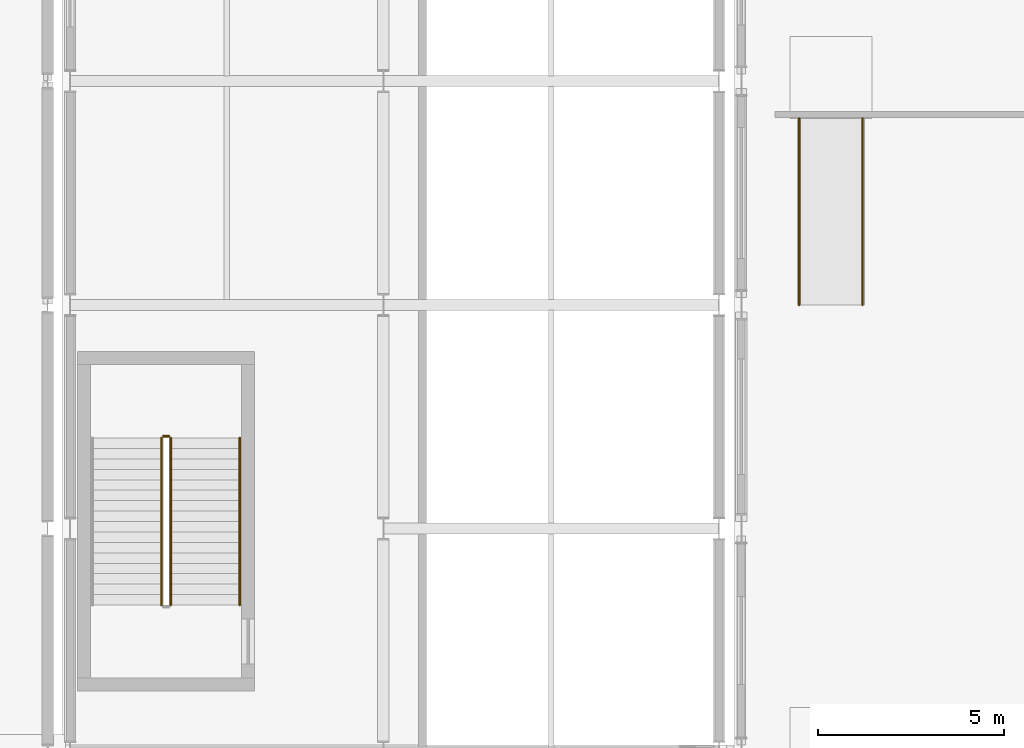
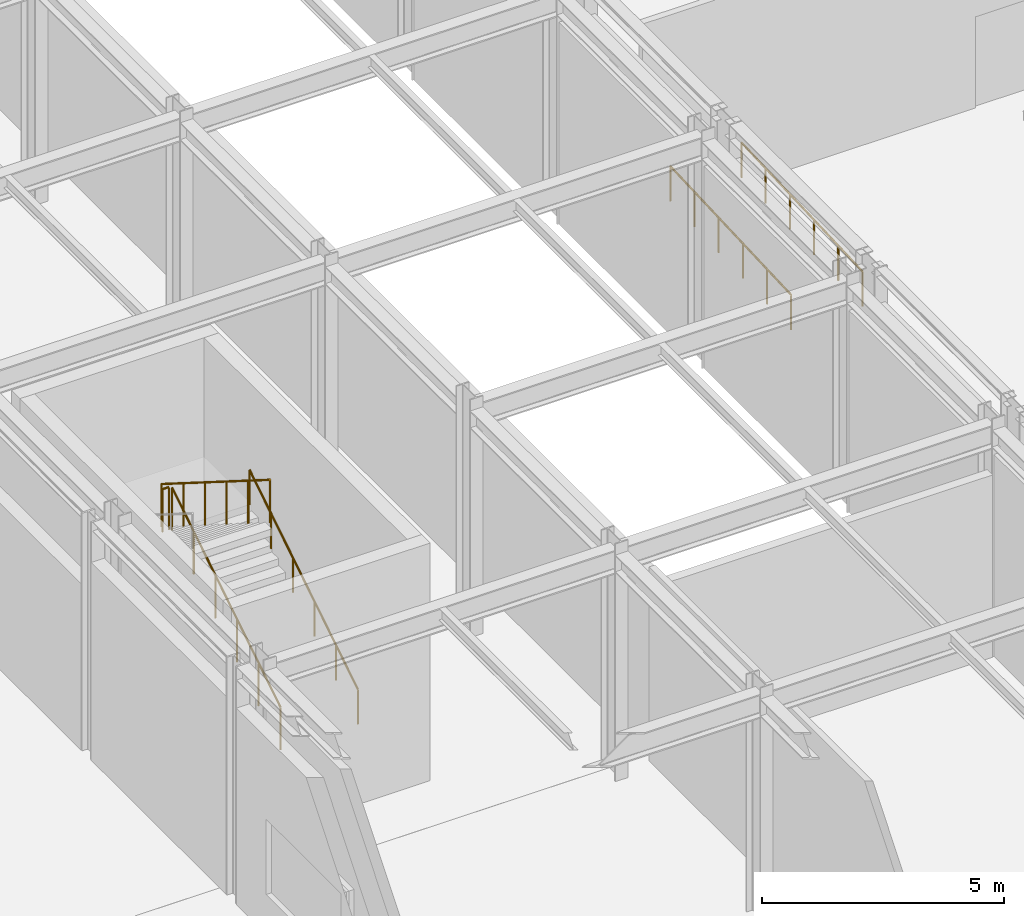
# One storey, part 145 of 146: 6 railings.
"""IFC4 building model written with IfcOpenShell, lengths in metres."""

from ifc_helpers import new_model, si_unit, direction, frame, origin, origin_2d, place, context, subcontext, project, spatial, circle, extrude, material, type_object, element, save


model = new_model("IFC4")

# Units and contexts
model_context = context("Model", 3, precision=1e-05, world=origin(), true_north=direction((0.0, 1.0)))
body_context = subcontext(model_context, "Body", "Model", "MODEL_VIEW")
ifc_project = project(units=[si_unit("LENGTHUNIT", "METRE"), si_unit("AREAUNIT", "SQUARE_METRE"), si_unit("VOLUMEUNIT", "CUBIC_METRE"), si_unit("PLANEANGLEUNIT", "RADIAN"), si_unit("MASSUNIT", "GRAM", prefix="KILO")], contexts=[model_context])

# Site, building, storey
site_placement = place(None, origin())
site = spatial("IfcSite", under=ifc_project, at=site_placement, CompositionType="ELEMENT")
building_placement = place(site_placement, origin())
building = spatial("IfcBuilding", under=site, at=building_placement, Name="Kaldris Quays Convention Centre", CompositionType="ELEMENT")
storey_placement = place(building_placement, origin())
storey = spatial("IfcBuildingStorey", under=building, at=storey_placement, Name="L00", CompositionType="ELEMENT", Elevation=0.0)

# Railings
ifc_material_1 = material(Name="Steel S355J2", Category="steel")
railing_type_1 = type_object("IfcRailingType", Name="INTERIOR GUARDRAIL GR01", PredefinedType="GUARDRAIL", material=ifc_material_1)
railing_1_placement = place(storey_placement, frame((149.300048828125, 77.949951171875, 0.176513671875)))
element("IfcRailing", 1, at=railing_1_placement, inside=storey, type_object=railing_type_1, Name="L00 ST14 Stair Guardrail 1", PredefinedType="GUARDRAIL", context=body_context, shape_type="SweptSolid", body=[
    extrude(circle(Radius=0.02392578125, at=origin_2d()), frame((0.0, 0.0, 1.076171875), z_axis=(0.0, 0.845997938375, 0.533186166611), x_axis=(-1.0, 0.0, 0.0)), (0.0, 0.0, 1.0), 5.29541015625),
    extrude(circle(Radius=0.02099609375, at=origin_2d()), origin(), (0.0, 0.0, 1.0), 1.052001953125),
    extrude(circle(Radius=0.02099609375, at=origin_2d()), frame((0.0, 0.89599609375, 0.564697265625)), (0.0, 0.0, 1.0), 1.052001953125),
    extrude(circle(Radius=0.02099609375, at=origin_2d()), frame((0.0, 1.7919921875, 1.12939453125)), (0.0, 0.0, 1.0), 1.052001953125),
    extrude(circle(Radius=0.02099609375, at=origin_2d()), frame((0.0, 2.68798828125, 1.694091796875)), (0.0, 0.0, 1.0), 1.052001953125),
    extrude(circle(Radius=0.02099609375, at=origin_2d()), frame((0.0, 3.583984375, 2.2587890625)), (0.0, 0.0, 1.0), 1.052001953125),
    extrude(circle(Radius=0.02099609375, at=origin_2d()), frame((0.0, 4.47998046875, 2.823486328125)), (0.0, 0.0, 1.0), 1.052001953125),
])
railing_2_placement = place(storey_placement, frame((149.25, 82.47998046875, 3.0)))
element("IfcRailing", 2, at=railing_2_placement, inside=storey, type_object=railing_type_1, Name="L00 ST14 Stair Guardrail 2", PredefinedType="GUARDRAIL", context=body_context, shape_type="SweptSolid", body=[
    extrude(circle(Radius=0.02392578125, at=origin_2d()), frame((0.0, 0.0, 1.076171875), z_axis=(-1.0, 0.0, 0.0), x_axis=(0.0, -1.0, 0.0)), (0.0, 0.0, 1.0), 0.14990234375),
    extrude(circle(Radius=0.02099609375, at=origin_2d()), origin(), (0.0, 0.0, 1.0), 1.052001953125),
    extrude(circle(Radius=0.02099609375, at=origin_2d()), frame((-0.14990234375, 0.0, 0.0)), (0.0, 0.0, 1.0), 1.052001953125),
])
railing_3_placement = place(storey_placement, frame((149.050048828125, 82.429931640625, 3.176513671875)))
element("IfcRailing", 3, at=railing_3_placement, inside=storey, type_object=railing_type_1, Name="L00 ST14 Stair Guardrail 3", PredefinedType="GUARDRAIL", context=body_context, shape_type="SweptSolid", body=[
    extrude(circle(Radius=0.02392578125, at=origin_2d()), frame((0.0, 0.0, 1.076171875), z_axis=(0.0, -0.845997938375, 0.533186166611), x_axis=(1.0, 0.0, 0.0)), (0.0, 0.0, 1.0), 5.29541015625),
    extrude(circle(Radius=0.02099609375, at=origin_2d()), origin(), (0.0, 0.0, 1.0), 1.052001953125),
    extrude(circle(Radius=0.02099609375, at=origin_2d()), frame((0.0, -0.89599609375, 0.564697265625)), (0.0, 0.0, 1.0), 1.052001953125),
    extrude(circle(Radius=0.02099609375, at=origin_2d()), frame((0.0, -1.7919921875, 1.12939453125)), (0.0, 0.0, 1.0), 1.052001953125),
    extrude(circle(Radius=0.02099609375, at=origin_2d()), frame((0.0, -2.68798828125, 1.694091796875)), (0.0, 0.0, 1.0), 1.052001953125),
    extrude(circle(Radius=0.02099609375, at=origin_2d()), frame((0.0, -3.583984375, 2.2587890625)), (0.0, 0.0, 1.0), 1.052001953125),
    extrude(circle(Radius=0.02099609375, at=origin_2d()), frame((0.0, -4.47998046875, 2.823486328125)), (0.0, 0.0, 1.0), 1.052001953125),
])
ifc_material_2 = material(Name="Stainless steel 1.4301", Category="steel")
railing_type_2 = type_object("IfcRailingType", Name="STAIR HANDRAIL HR01", PredefinedType="HANDRAIL", material=ifc_material_2)
railing_4_placement = place(storey_placement, frame((151.14990234375, 77.949951171875, 0.176513671875)))
element("IfcRailing", 4, at=railing_4_placement, inside=storey, type_object=railing_type_2, Name="L00 ST14 Flight Handrail 1", PredefinedType="HANDRAIL", context=body_context, shape_type="SweptSolid", body=[
    extrude(circle(Radius=0.02392578125, at=origin_2d()), frame((0.0, 0.0, 0.8759765625), z_axis=(0.0, 0.845997938375, 0.533186166611), x_axis=(-1.0, 0.0, 0.0)), (0.0, 0.0, 1.0), 5.29541015625),
    extrude(circle(Radius=0.02099609375, at=origin_2d()), origin(), (0.0, 0.0, 1.0), 0.851806640625),
    extrude(circle(Radius=0.02099609375, at=origin_2d()), frame((0.0, 0.89599609375, 0.564697265625)), (0.0, 0.0, 1.0), 0.851806640625),
    extrude(circle(Radius=0.02099609375, at=origin_2d()), frame((0.0, 1.7919921875, 1.12939453125)), (0.0, 0.0, 1.0), 0.851806640625),
    extrude(circle(Radius=0.02099609375, at=origin_2d()), frame((0.0, 2.68798828125, 1.694091796875)), (0.0, 0.0, 1.0), 0.851806640625),
    extrude(circle(Radius=0.02099609375, at=origin_2d()), frame((0.0, 3.583984375, 2.2587890625)), (0.0, 0.0, 1.0), 0.851806640625),
    extrude(circle(Radius=0.02099609375, at=origin_2d()), frame((0.0, 4.47998046875, 2.823486328125)), (0.0, 0.0, 1.0), 0.851806640625),
])
for number, where, name in (
    (5, (166.14990234375, 86.0, 0.0), "PRMP-1 Accessible Ramp Handrail L"),
    (6, (167.85009765625, 86.0, 0.0), "PRMP-1 Accessible Ramp Handrail R"),
):
    element("IfcRailing", number, at=place(storey_placement, frame(where)), inside=storey, type_object=railing_type_2, Name=name, PredefinedType="HANDRAIL", context=body_context, shape_type="SweptSolid", body=[
        extrude(circle(Radius=0.02392578125, at=origin_2d()), frame((0.0, 0.0, 0.8759765625), z_axis=(0.0, 0.999050720124, 0.043562123685), x_axis=(-1.0, 0.0, 0.0)), (0.0, 0.0, 1.0), 5.004638671875),
        extrude(circle(Radius=0.02099609375, at=origin_2d()), origin(), (0.0, 0.0, 1.0), 0.851806640625),
        extrude(circle(Radius=0.02099609375, at=origin_2d()), frame((0.0, 1.0, 0.043701171875)), (0.0, 0.0, 1.0), 0.851806640625),
        extrude(circle(Radius=0.02099609375, at=origin_2d()), frame((0.0, 2.0, 0.087158203125)), (0.0, 0.0, 1.0), 0.851806640625),
        extrude(circle(Radius=0.02099609375, at=origin_2d()), frame((0.0, 3.0, 0.130859375)), (0.0, 0.0, 1.0), 0.851806640625),
        extrude(circle(Radius=0.02099609375, at=origin_2d()), frame((0.0, 4.0, 0.17431640625)), (0.0, 0.0, 1.0), 0.851806640625),
        extrude(circle(Radius=0.02099609375, at=origin_2d()), frame((0.0, 5.0, 0.218017578125)), (0.0, 0.0, 1.0), 0.851806640625),
    ])

save(model, "model.ifc")
